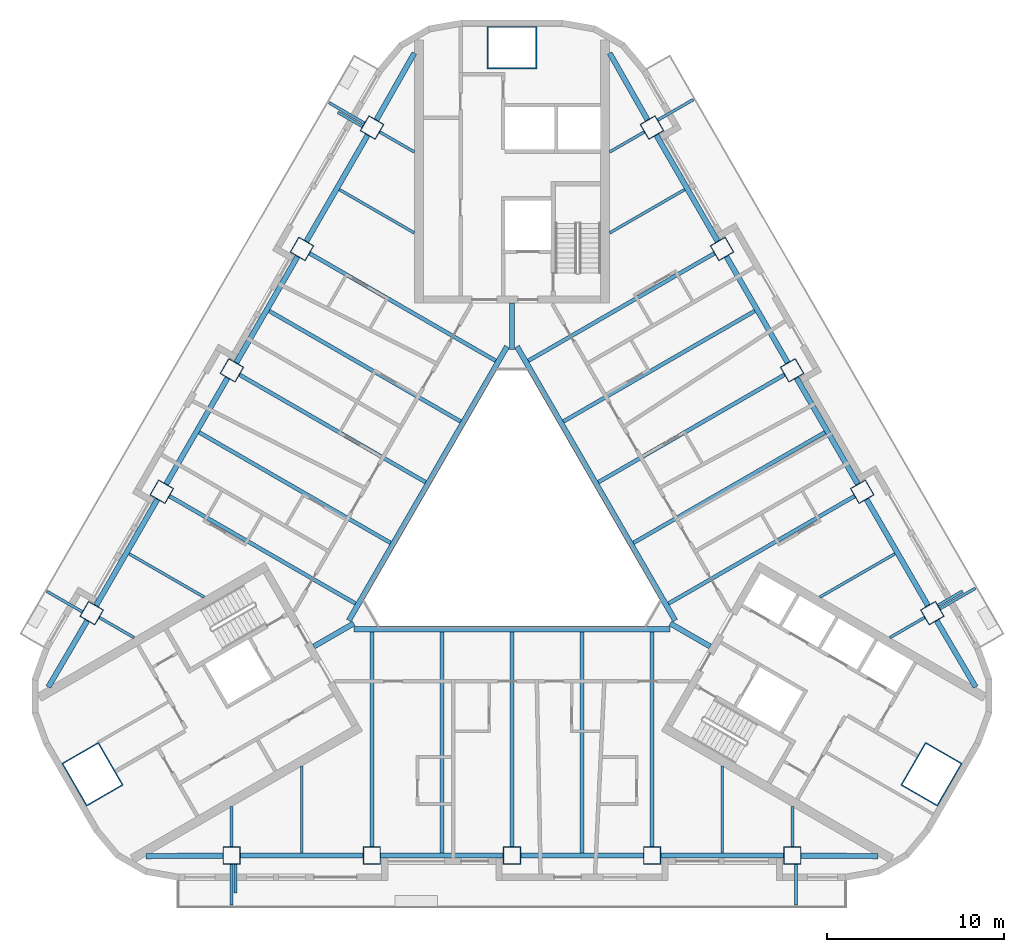
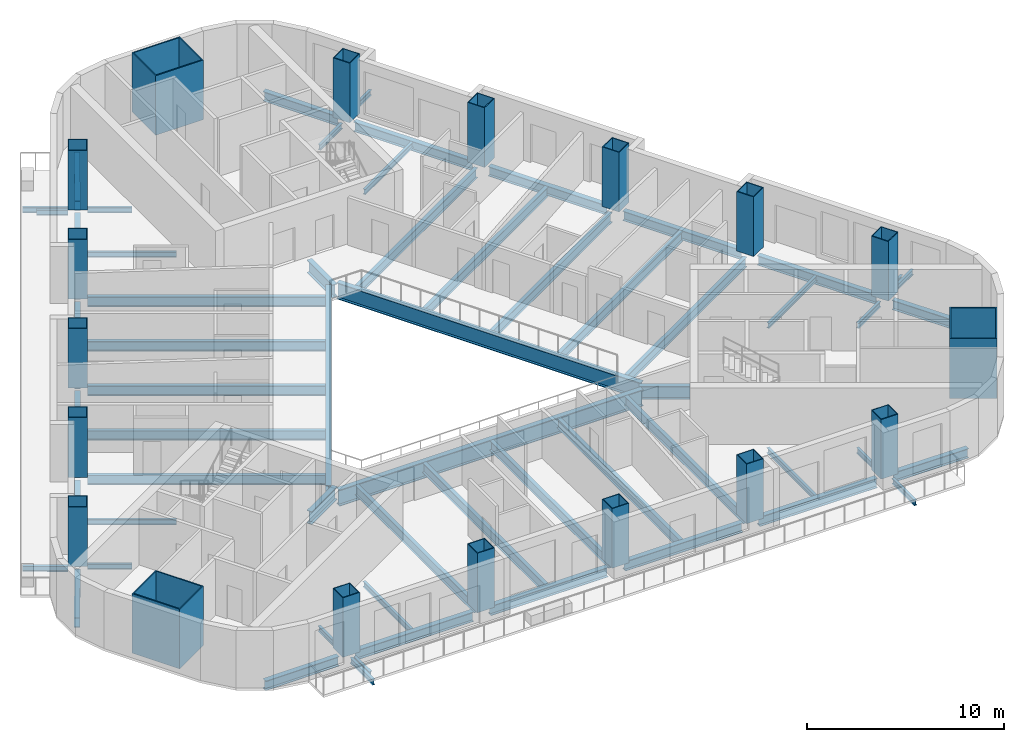
# One storey, part 1 of 14: 60 beams, 18 columns.
"""IFC4 building model written with IfcOpenShell, lengths in metres."""

from ifc_helpers import new_model, si_unit, direction, frame, origin, origin_2d, place, context, subcontext, project, spatial, rectangle, hollow_rectangle, i_section, extrude, material, material_profile, profile_set, type_object, element, save


model = new_model("IFC4")

# Units and contexts
model_context = context("Model", 3, precision=1e-05, world=origin(), true_north=direction((0.0, 1.0)))
body_context = subcontext(model_context, "Body", "Model", "MODEL_VIEW")
ifc_project = project(units=[si_unit("LENGTHUNIT", "METRE"), si_unit("AREAUNIT", "SQUARE_METRE"), si_unit("VOLUMEUNIT", "CUBIC_METRE"), si_unit("PLANEANGLEUNIT", "RADIAN"), si_unit("MASSUNIT", "GRAM", prefix="KILO")], contexts=[model_context])

# Site, building, storey
site_placement = place(None, origin())
site = spatial("IfcSite", under=ifc_project, at=site_placement, CompositionType="ELEMENT")
building_placement = place(site_placement, origin())
building = spatial("IfcBuilding", under=site, at=building_placement, Name="Apuvela Tower Hotel", CompositionType="ELEMENT")
storey_placement = place(building_placement, frame((0.0, 0.0, 50.199951171875)))
storey = spatial("IfcBuildingStorey", under=building, at=storey_placement, Name="L09", CompositionType="ELEMENT", Elevation=50.199951171875)

# Columns
ifc_material_1 = material(Name="Steel S460", Category="steel")
ifc_material_profile_1 = material_profile(ifc_material_1, hollow_rectangle(XDim=2.800048828125, YDim=2.39990234375, WallThickness=0.070068359375, at=origin_2d()), Name="BOX 2800x2400x70")
ifc_material_2 = material(Name="Concrete C80/95", Category="concrete")
ifc_material_profile_2 = material_profile(ifc_material_2, rectangle(XDim=2.659912109375, YDim=2.260009765625, at=origin_2d()), Name="Concrete C80/95 infill")
ifc_profile_set_1 = profile_set([ifc_material_profile_1, ifc_material_profile_2], Name="Steel S460")
column_type_1 = type_object("IfcColumnType", Name="STR-MC mega column BOX 2800x2400x70", PredefinedType="COLUMN", material=ifc_profile_set_1)
for number, where, z_axis, x_axis, name in (
    (1, (0.0, 27.300048828125, 0.0), (0.0, 0.0, 1.0), (1.0, 0.0, 0.0), "Mega column MC2 N"),
    (2, (-23.642578125, -13.64990234375, 0.0), (0.0, 0.0, 1.0), (-0.5, 0.866025403784, 0.0), "Mega column MC2 SW"),
    (3, (23.642578125, -13.64990234375, 0.0), (0.0, 0.0, 1.0), (0.5, 0.866025403784, 0.0), "Mega column MC2 SE"),
):
    element("IfcColumn", number, at=place(storey_placement, frame(where, z_axis=z_axis, x_axis=x_axis)), inside=storey, type_object=column_type_1, Name=name, PredefinedType="COLUMN", context=body_context, shape_type="SweptSolid", body=[
        extrude(hollow_rectangle(XDim=2.800048828125, YDim=2.39990234375, WallThickness=0.070068359375, at=origin_2d()), origin(), (0.0, 0.0, 1.0), 3.699951171875),
    ])
ifc_material_profile_3 = material_profile(ifc_material_1, hollow_rectangle(XDim=1.0, YDim=1.0, WallThickness=0.044921875, at=origin_2d()), Name="BOX 1000x1000x45")
ifc_material_profile_4 = material_profile(ifc_material_2, rectangle(XDim=0.909912109375, YDim=0.909912109375, at=origin_2d()), Name="Concrete C80/95 infill")
ifc_profile_set_2 = profile_set([ifc_material_profile_3, ifc_material_profile_4], Name="Steel S460")
column_type_2 = type_object("IfcColumnType", Name="STR-PC perimeter column BOX 1000x1000x45", PredefinedType="COLUMN", material=ifc_profile_set_2)
for number, where, z_axis, x_axis, name in (
    (4, (-15.800048828125, -18.22998046875, 0.0), (0.0, 0.0, 1.0), (-1.0, 0.0, 0.0), "Perimeter column C2 S1"),
    (5, (-7.89990234375, -18.22998046875, 0.0), (0.0, 0.0, 1.0), (-1.0, 0.0, 0.0), "Perimeter column C2 S2"),
    (6, (0.0, -18.22998046875, 0.0), (0.0, 0.0, 1.0), (-1.0, 0.0, 0.0), "Perimeter column C2 S3"),
    (7, (7.89990234375, -18.22998046875, 0.0), (0.0, 0.0, 1.0), (-1.0, 0.0, 0.0), "Perimeter column C2 S4"),
    (8, (15.800048828125, -18.22998046875, 0.0), (0.0, 0.0, 1.0), (-1.0, 0.0, 0.0), "Perimeter column C2 S5"),
    (9, (23.6875, -4.568115234375, 0.0), (0.0, 0.0, 1.0), (-0.5, 0.866025403784, 0.0), "Perimeter column C2 NE1"),
    (10, (19.737548828125, 2.2734375, 0.0), (0.0, 0.0, 1.0), (-0.5, 0.866025403784, 0.0), "Perimeter column C2 NE2"),
    (11, (15.78759765625, 9.114990234375, 0.0), (0.0, 0.0, 1.0), (-0.5, 0.866025403784, 0.0), "Perimeter column C2 NE3"),
    (12, (11.837646484375, 15.95654296875, 0.0), (0.0, 0.0, 1.0), (-0.5, 0.866025403784, 0.0), "Perimeter column C2 NE4"),
    (13, (7.8876953125, 22.798095703125, 0.0), (0.0, 0.0, 1.0), (-0.5, 0.866025403784, 0.0), "Perimeter column C2 NE5"),
    (14, (-7.8876953125, 22.798095703125, 0.0), (0.0, 0.0, 1.0), (0.5, 0.866025403784, 0.0), "Perimeter column C2 NW1"),
    (15, (-11.837646484375, 15.95654296875, 0.0), (0.0, 0.0, 1.0), (0.5, 0.866025403784, 0.0), "Perimeter column C2 NW2"),
    (16, (-15.78759765625, 9.114990234375, 0.0), (0.0, 0.0, 1.0), (0.5, 0.866025403784, 0.0), "Perimeter column C2 NW3"),
    (17, (-19.737548828125, 2.2734375, 0.0), (0.0, 0.0, 1.0), (0.5, 0.866025403784, 0.0), "Perimeter column C2 NW4"),
    (18, (-23.6875, -4.568115234375, 0.0), (0.0, 0.0, 1.0), (0.5, 0.866025403784, 0.0), "Perimeter column C2 NW5"),
):
    element("IfcColumn", number, at=place(storey_placement, frame(where, z_axis=z_axis, x_axis=x_axis)), inside=storey, type_object=column_type_2, Name=name, PredefinedType="COLUMN", context=body_context, shape_type="SweptSolid", body=[
        extrude(hollow_rectangle(XDim=1.0, YDim=1.0, WallThickness=0.044921875, at=origin_2d()), origin(), (0.0, 0.0, 1.0), 3.699951171875),
    ])

# Beams
ifc_material_3 = material(Name="Steel S355", Category="steel")
ifc_material_profile_5 = material_profile(ifc_material_3, i_section(OverallWidth=0.159912109375, OverallDepth=0.330078125, WebThickness=0.007568359375, FlangeThickness=0.011474609375, at=origin_2d()), Name="IPE 330")
ifc_profile_set_3 = profile_set([ifc_material_profile_5], Name="Steel S355")
beam_type_1 = type_object("IfcBeamType", Name="ENV-BALCONY-BEAM-IPE330", PredefinedType="BEAM", material=ifc_profile_set_3)
beam_1_placement = place(storey_placement, frame((-15.800048828125, -18.72998046875, -0.31494140625), z_axis=(0.0, -1.0, 0.0), x_axis=(1.0, 0.0, 0.0)))
element("IfcBeam", 19, at=beam_1_placement, inside=storey, type_object=beam_type_1, Name="Balcony cantilever beam S1 L09", PredefinedType="BEAM", context=body_context, shape_type="SweptSolid", body=[
    extrude(i_section(OverallWidth=0.159912109375, OverallDepth=0.330078125, WebThickness=0.007568359375, FlangeThickness=0.011474609375, at=origin_2d()), origin(), (0.0, 0.0, 1.0), 2.300048828125),
])
beam_2_placement = place(storey_placement, frame((-15.580078125, -18.72998046875, -0.31494140625), z_axis=(0.0, -1.0, 0.0), x_axis=(1.0, 0.0, 0.0)))
element("IfcBeam", 20, at=beam_2_placement, inside=storey, type_object=beam_type_1, Name="Balcony cantilever beam S2 L09", PredefinedType="BEAM", context=body_context, shape_type="SweptSolid", body=[
    extrude(i_section(OverallWidth=0.159912109375, OverallDepth=0.330078125, WebThickness=0.007568359375, FlangeThickness=0.011474609375, at=origin_2d()), origin(), (0.0, 0.0, 1.0), 1.60009765625),
])
for number, where, z_axis, x_axis, name in (
    (21, (16.0, -18.72998046875, -0.31494140625), (0.0, -1.0, 0.0), (1.0, 0.0, 0.0), "Balcony cantilever beam S3 L09"),
    (22, (24.12060546875, -4.318115234375, -0.31494140625), (0.866053019151, 0.499952165731, 0.0), (-0.499952165731, 0.866053019151, 0.0), "Balcony cantilever beam NE1 L09"),
):
    element("IfcBeam", number, at=place(storey_placement, frame(where, z_axis=z_axis, x_axis=x_axis)), inside=storey, type_object=beam_type_1, Name=name, PredefinedType="BEAM", context=body_context, shape_type="SweptSolid", body=[
        extrude(i_section(OverallWidth=0.159912109375, OverallDepth=0.330078125, WebThickness=0.007568359375, FlangeThickness=0.011474609375, at=origin_2d()), origin(), (0.0, 0.0, 1.0), 2.300048828125),
    ])
beam_3_placement = place(storey_placement, frame((24.0107421875, -4.127685546875, -0.31494140625), z_axis=(0.865989903783, 0.500061482766, 0.0), x_axis=(-0.500061482766, 0.865989903783, 0.0)))
element("IfcBeam", 23, at=beam_3_placement, inside=storey, type_object=beam_type_1, Name="Balcony cantilever beam NE2 L09", PredefinedType="BEAM", context=body_context, shape_type="SweptSolid", body=[
    extrude(i_section(OverallWidth=0.159912109375, OverallDepth=0.330078125, WebThickness=0.007568359375, FlangeThickness=0.011474609375, at=origin_2d()), origin(), (0.0, 0.0, 1.0), 1.599853515625),
])
beam_4_placement = place(storey_placement, frame((8.220703125, 23.221435546875, -0.31494140625), z_axis=(0.86602648383, 0.499998129301, 0.0), x_axis=(-0.499998129301, 0.86602648383, 0.0)))
element("IfcBeam", 24, at=beam_4_placement, inside=storey, type_object=beam_type_1, Name="Balcony cantilever beam NE3 L09", PredefinedType="BEAM", context=body_context, shape_type="SweptSolid", body=[
    extrude(i_section(OverallWidth=0.159912109375, OverallDepth=0.330078125, WebThickness=0.007568359375, FlangeThickness=0.011474609375, at=origin_2d()), origin(), (0.0, 0.0, 1.0), 2.2998046875),
])
beam_5_placement = place(storey_placement, frame((-8.32080078125, 23.048095703125, -0.31494140625), z_axis=(-0.865980515519, 0.500077740698, 0.0), x_axis=(-0.500077740698, -0.865980515519, 0.0)))
element("IfcBeam", 25, at=beam_5_placement, inside=storey, type_object=beam_type_1, Name="Balcony cantilever beam NW1 L09", PredefinedType="BEAM", context=body_context, shape_type="SweptSolid", body=[
    extrude(i_section(OverallWidth=0.159912109375, OverallDepth=0.330078125, WebThickness=0.007568359375, FlangeThickness=0.011474609375, at=origin_2d()), origin(), (0.0, 0.0, 1.0), 2.300048828125),
])
beam_6_placement = place(storey_placement, frame((-8.4306640625, 22.857666015625, -0.31494140625), z_axis=(-0.866028054938, 0.499995408039, 0.0), x_axis=(-0.499995408039, -0.866028054938, 0.0)))
element("IfcBeam", 26, at=beam_6_placement, inside=storey, type_object=beam_type_1, Name="Balcony cantilever beam NW2 L09", PredefinedType="BEAM", context=body_context, shape_type="SweptSolid", body=[
    extrude(i_section(OverallWidth=0.159912109375, OverallDepth=0.330078125, WebThickness=0.007568359375, FlangeThickness=0.011474609375, at=origin_2d()), origin(), (0.0, 0.0, 1.0), 1.60009765625),
])
beam_7_placement = place(storey_placement, frame((-24.220703125, -4.491455078125, -0.31494140625), z_axis=(-0.865980515519, 0.500077740698, 0.0), x_axis=(-0.500077740698, -0.865980515519, 0.0)))
element("IfcBeam", 27, at=beam_7_placement, inside=storey, type_object=beam_type_1, Name="Balcony cantilever beam NW3 L09", PredefinedType="BEAM", context=body_context, shape_type="SweptSolid", body=[
    extrude(i_section(OverallWidth=0.159912109375, OverallDepth=0.330078125, WebThickness=0.007568359375, FlangeThickness=0.011474609375, at=origin_2d()), origin(), (0.0, 0.0, 1.0), 2.300048828125),
])
ifc_material_profile_6 = material_profile(ifc_material_3, i_section(OverallWidth=0.159912109375, OverallDepth=0.330078125, WebThickness=0.007568359375, FlangeThickness=0.011474609375, at=origin_2d()), Name="IPE 330")
ifc_profile_set_4 = profile_set([ifc_material_profile_6], Name="Steel S355")
beam_type_2 = type_object("IfcBeamType", Name="STR-B floor beam IPE 330", PredefinedType="BEAM", material=ifc_profile_set_4)
beam_8_placement = place(storey_placement, frame((23.254638671875, -4.818115234375, -0.31494140625), z_axis=(-0.865991034588, -0.500059524469, 0.0), x_axis=(0.500059524469, -0.865991034588, 0.0)))
element("IfcBeam", 28, at=beam_8_placement, inside=storey, type_object=beam_type_2, Name="Floor beam B1 NE1", PredefinedType="BEAM", context=body_context, shape_type="SweptSolid", body=[
    extrude(i_section(OverallWidth=0.159912109375, OverallDepth=0.330078125, WebThickness=0.007568359375, FlangeThickness=0.011474609375, at=origin_2d()), origin(), (0.0, 0.0, 1.0), 2.257080078125),
])
for number, where, z_axis, x_axis, name in (
    (29, (21.582763671875, -1.222412109375, -0.31494140625), (-0.866015056278, -0.500017921979, 0.0), (0.500017921979, -0.866015056278, 0.0), "Floor beam B1 NE2"),
    (30, (9.732666015625, 19.302490234375, -0.31494140625), (-0.866015056278, -0.500017921979, 0.0), (0.500017921979, -0.866015056278, 0.0), "Floor beam B1 NE8"),
):
    element("IfcBeam", number, at=place(storey_placement, frame(where, z_axis=z_axis, x_axis=x_axis)), inside=storey, type_object=beam_type_2, Name=name, PredefinedType="BEAM", context=body_context, shape_type="SweptSolid", body=[
        extrude(i_section(OverallWidth=0.159912109375, OverallDepth=0.330078125, WebThickness=0.007568359375, FlangeThickness=0.011474609375, at=origin_2d()), origin(), (0.0, 0.0, 1.0), 4.887451171875),
    ])
for number, where, z_axis, x_axis, name in (
    (31, (7.45458984375, 22.548095703125, -0.31494140625), (-0.86603787505, -0.499978398512, 0.0), (0.499978398512, -0.86603787505, 0.0), "Floor beam B1 NE9"),
    (32, (-7.45458984375, 22.548095703125, -0.31494140625), (0.86603787505, -0.499978398512, 0.0), (0.499978398512, 0.86603787505, 0.0), "Floor beam B1 NW1"),
):
    element("IfcBeam", number, at=place(storey_placement, frame(where, z_axis=z_axis, x_axis=x_axis)), inside=storey, type_object=beam_type_2, Name=name, PredefinedType="BEAM", context=body_context, shape_type="SweptSolid", body=[
        extrude(i_section(OverallWidth=0.159912109375, OverallDepth=0.330078125, WebThickness=0.007568359375, FlangeThickness=0.011474609375, at=origin_2d()), origin(), (0.0, 0.0, 1.0), 2.2568359375),
    ])
for number, where, z_axis, x_axis, name in (
    (33, (-9.732666015625, 19.302490234375, -0.31494140625), (0.866015056278, -0.500017921979, 0.0), (0.500017921979, 0.866015056278, 0.0), "Floor beam B1 NW2"),
    (34, (-21.582763671875, -1.222412109375, -0.31494140625), (0.866015056278, -0.500017921979, 0.0), (0.500017921979, 0.866015056278, 0.0), "Floor beam B1 NW8"),
):
    element("IfcBeam", number, at=place(storey_placement, frame(where, z_axis=z_axis, x_axis=x_axis)), inside=storey, type_object=beam_type_2, Name=name, PredefinedType="BEAM", context=body_context, shape_type="SweptSolid", body=[
        extrude(i_section(OverallWidth=0.159912109375, OverallDepth=0.330078125, WebThickness=0.007568359375, FlangeThickness=0.011474609375, at=origin_2d()), origin(), (0.0, 0.0, 1.0), 4.887451171875),
    ])
for number, where, z_axis, x_axis, name in (
    (35, (-23.254638671875, -4.818115234375, -0.31494140625), (0.865991034588, -0.500059524469, 0.0), (0.500059524469, 0.865991034588, 0.0), "Floor beam B1 NW9"),
    (36, (-15.800048828125, -17.72998046875, -0.31494140625), (0.0, 1.0, 0.0), (-1.0, 0.0, 0.0), "Floor beam B1 S1"),
):
    element("IfcBeam", number, at=place(storey_placement, frame(where, z_axis=z_axis, x_axis=x_axis)), inside=storey, type_object=beam_type_2, Name=name, PredefinedType="BEAM", context=body_context, shape_type="SweptSolid", body=[
        extrude(i_section(OverallWidth=0.159912109375, OverallDepth=0.330078125, WebThickness=0.007568359375, FlangeThickness=0.011474609375, at=origin_2d()), origin(), (0.0, 0.0, 1.0), 2.257080078125),
    ])
for number, where, z_axis, x_axis, name in (
    (37, (-11.85009765625, -18.080078125, -0.31494140625), (0.0, 1.0, 0.0), (-1.0, 0.0, 0.0), "Floor beam B1 S2"),
    (38, (11.85009765625, -18.080078125, -0.31494140625), (0.0, 1.0, 0.0), (-1.0, 0.0, 0.0), "Floor beam B1 S8"),
):
    element("IfcBeam", number, at=place(storey_placement, frame(where, z_axis=z_axis, x_axis=x_axis)), inside=storey, type_object=beam_type_2, Name=name, PredefinedType="BEAM", context=body_context, shape_type="SweptSolid", body=[
        extrude(i_section(OverallWidth=0.159912109375, OverallDepth=0.330078125, WebThickness=0.007568359375, FlangeThickness=0.011474609375, at=origin_2d()), origin(), (0.0, 0.0, 1.0), 4.8876953125),
    ])
beam_9_placement = place(storey_placement, frame((15.800048828125, -17.72998046875, -0.31494140625), z_axis=(0.0, 1.0, 0.0), x_axis=(-1.0, 0.0, 0.0)))
element("IfcBeam", 39, at=beam_9_placement, inside=storey, type_object=beam_type_2, Name="Floor beam B1 S9", PredefinedType="BEAM", context=body_context, shape_type="SweptSolid", body=[
    extrude(i_section(OverallWidth=0.159912109375, OverallDepth=0.330078125, WebThickness=0.007568359375, FlangeThickness=0.011474609375, at=origin_2d()), origin(), (0.0, 0.0, 1.0), 2.257080078125),
])
ifc_material_profile_7 = material_profile(ifc_material_3, i_section(OverallWidth=0.219970703125, OverallDepth=0.60009765625, WebThickness=0.011962890625, FlangeThickness=0.01904296875, at=origin_2d()), Name="IPE 600")
ifc_profile_set_5 = profile_set([ifc_material_profile_7], Name="Steel S355")
beam_type_3 = type_object("IfcBeamType", Name="STR-B floor beam IPE 600", PredefinedType="BEAM", material=ifc_profile_set_5)
beam_10_placement = place(storey_placement, frame((19.3046875, 2.0234375, -0.449951171875), z_axis=(-0.866027098151, -0.499997065259, 0.0), x_axis=(0.499997065259, -0.866027098151, 0.0)))
element("IfcBeam", 40, at=beam_10_placement, inside=storey, type_object=beam_type_3, Name="Floor beam B8 NE3", PredefinedType="BEAM", context=body_context, shape_type="SweptSolid", body=[
    extrude(i_section(OverallWidth=0.219970703125, OverallDepth=0.60009765625, WebThickness=0.011962890625, FlangeThickness=0.01904296875, at=origin_2d()), origin(), (0.0, 0.0, 1.0), 12.10791015625),
])
beam_11_placement = place(storey_placement, frame((17.6328125, 5.619140625, -0.449951171875), z_axis=(-0.866027636335, -0.499996133089, 0.0), x_axis=(0.499996133089, -0.866027636335, 0.0)))
element("IfcBeam", 41, at=beam_11_placement, inside=storey, type_object=beam_type_3, Name="Floor beam B8 NE4", PredefinedType="BEAM", context=body_context, shape_type="SweptSolid", body=[
    extrude(i_section(OverallWidth=0.219970703125, OverallDepth=0.60009765625, WebThickness=0.011962890625, FlangeThickness=0.01904296875, at=origin_2d()), origin(), (0.0, 0.0, 1.0), 12.4580078125),
])
beam_12_placement = place(storey_placement, frame((15.3544921875, 8.864990234375, -0.449951171875), z_axis=(-0.866022057176, -0.500005796451, 0.0), x_axis=(0.500005796451, -0.866022057176, 0.0)))
element("IfcBeam", 42, at=beam_12_placement, inside=storey, type_object=beam_type_3, Name="Floor beam B8 NE5", PredefinedType="BEAM", context=body_context, shape_type="SweptSolid", body=[
    extrude(i_section(OverallWidth=0.219970703125, OverallDepth=0.60009765625, WebThickness=0.011962890625, FlangeThickness=0.01904296875, at=origin_2d()), origin(), (0.0, 0.0, 1.0), 12.107666015625),
])
beam_13_placement = place(storey_placement, frame((13.6826171875, 12.460693359375, -0.449951171875), z_axis=(-0.866022737053, -0.500004618886, 0.0), x_axis=(0.500004618886, -0.866022737053, 0.0)))
element("IfcBeam", 43, at=beam_13_placement, inside=storey, type_object=beam_type_3, Name="Floor beam B8 NE6", PredefinedType="BEAM", context=body_context, shape_type="SweptSolid", body=[
    extrude(i_section(OverallWidth=0.219970703125, OverallDepth=0.60009765625, WebThickness=0.011962890625, FlangeThickness=0.01904296875, at=origin_2d()), origin(), (0.0, 0.0, 1.0), 12.4580078125),
])
for number, where, z_axis, x_axis, name in (
    (44, (11.404541015625, 15.70654296875, -0.449951171875), (-0.866027098151, -0.499997065259, 0.0), (0.499997065259, -0.866027098151, 0.0), "Floor beam B8 NE7"),
    (45, (-11.404541015625, 15.70654296875, -0.449951171875), (0.866027098151, -0.499997065259, 0.0), (0.499997065259, 0.866027098151, 0.0), "Floor beam B8 NW3"),
):
    element("IfcBeam", number, at=place(storey_placement, frame(where, z_axis=z_axis, x_axis=x_axis)), inside=storey, type_object=beam_type_3, Name=name, PredefinedType="BEAM", context=body_context, shape_type="SweptSolid", body=[
        extrude(i_section(OverallWidth=0.219970703125, OverallDepth=0.60009765625, WebThickness=0.011962890625, FlangeThickness=0.01904296875, at=origin_2d()), origin(), (0.0, 0.0, 1.0), 12.10791015625),
    ])
beam_14_placement = place(storey_placement, frame((-13.6826171875, 12.460693359375, -0.449951171875), z_axis=(0.866022737053, -0.500004618886, 0.0), x_axis=(0.500004618886, 0.866022737053, 0.0)))
element("IfcBeam", 46, at=beam_14_placement, inside=storey, type_object=beam_type_3, Name="Floor beam B8 NW4", PredefinedType="BEAM", context=body_context, shape_type="SweptSolid", body=[
    extrude(i_section(OverallWidth=0.219970703125, OverallDepth=0.60009765625, WebThickness=0.011962890625, FlangeThickness=0.01904296875, at=origin_2d()), origin(), (0.0, 0.0, 1.0), 12.4580078125),
])
beam_15_placement = place(storey_placement, frame((-15.3544921875, 8.864990234375, -0.449951171875), z_axis=(0.866022057176, -0.500005796451, 0.0), x_axis=(0.500005796451, 0.866022057176, 0.0)))
element("IfcBeam", 47, at=beam_15_placement, inside=storey, type_object=beam_type_3, Name="Floor beam B8 NW5", PredefinedType="BEAM", context=body_context, shape_type="SweptSolid", body=[
    extrude(i_section(OverallWidth=0.219970703125, OverallDepth=0.60009765625, WebThickness=0.011962890625, FlangeThickness=0.01904296875, at=origin_2d()), origin(), (0.0, 0.0, 1.0), 12.107666015625),
])
beam_16_placement = place(storey_placement, frame((-17.6328125, 5.619140625, -0.449951171875), z_axis=(0.866027636335, -0.499996133089, 0.0), x_axis=(0.499996133089, 0.866027636335, 0.0)))
element("IfcBeam", 48, at=beam_16_placement, inside=storey, type_object=beam_type_3, Name="Floor beam B8 NW6", PredefinedType="BEAM", context=body_context, shape_type="SweptSolid", body=[
    extrude(i_section(OverallWidth=0.219970703125, OverallDepth=0.60009765625, WebThickness=0.011962890625, FlangeThickness=0.01904296875, at=origin_2d()), origin(), (0.0, 0.0, 1.0), 12.4580078125),
])
for number, where, z_axis, x_axis, name in (
    (49, (-19.3046875, 2.0234375, -0.449951171875), (0.866027098151, -0.499997065259, 0.0), (0.499997065259, 0.866027098151, 0.0), "Floor beam B8 NW7"),
    (50, (-7.89990234375, -17.72998046875, -0.449951171875), (0.0, 1.0, 0.0), (-1.0, 0.0, 0.0), "Floor beam B8 S3"),
):
    element("IfcBeam", number, at=place(storey_placement, frame(where, z_axis=z_axis, x_axis=x_axis)), inside=storey, type_object=beam_type_3, Name=name, PredefinedType="BEAM", context=body_context, shape_type="SweptSolid", body=[
        extrude(i_section(OverallWidth=0.219970703125, OverallDepth=0.60009765625, WebThickness=0.011962890625, FlangeThickness=0.01904296875, at=origin_2d()), origin(), (0.0, 0.0, 1.0), 12.10791015625),
    ])
beam_17_placement = place(storey_placement, frame((-3.949951171875, -18.080078125, -0.449951171875), z_axis=(0.0, 1.0, 0.0), x_axis=(-1.0, 0.0, 0.0)))
element("IfcBeam", 51, at=beam_17_placement, inside=storey, type_object=beam_type_3, Name="Floor beam B8 S4", PredefinedType="BEAM", context=body_context, shape_type="SweptSolid", body=[
    extrude(i_section(OverallWidth=0.219970703125, OverallDepth=0.60009765625, WebThickness=0.011962890625, FlangeThickness=0.01904296875, at=origin_2d()), origin(), (0.0, 0.0, 1.0), 12.4580078125),
])
beam_18_placement = place(storey_placement, frame((0.0, -17.72998046875, -0.449951171875), z_axis=(0.0, 1.0, 0.0), x_axis=(-1.0, 0.0, 0.0)))
element("IfcBeam", 52, at=beam_18_placement, inside=storey, type_object=beam_type_3, Name="Floor beam B8 S5", PredefinedType="BEAM", context=body_context, shape_type="SweptSolid", body=[
    extrude(i_section(OverallWidth=0.219970703125, OverallDepth=0.60009765625, WebThickness=0.011962890625, FlangeThickness=0.01904296875, at=origin_2d()), origin(), (0.0, 0.0, 1.0), 12.10791015625),
])
beam_19_placement = place(storey_placement, frame((3.949951171875, -18.080078125, -0.449951171875), z_axis=(0.0, 1.0, 0.0), x_axis=(-1.0, 0.0, 0.0)))
element("IfcBeam", 53, at=beam_19_placement, inside=storey, type_object=beam_type_3, Name="Floor beam B8 S6", PredefinedType="BEAM", context=body_context, shape_type="SweptSolid", body=[
    extrude(i_section(OverallWidth=0.219970703125, OverallDepth=0.60009765625, WebThickness=0.011962890625, FlangeThickness=0.01904296875, at=origin_2d()), origin(), (0.0, 0.0, 1.0), 12.4580078125),
])
beam_20_placement = place(storey_placement, frame((7.89990234375, -17.72998046875, -0.449951171875), z_axis=(0.0, 1.0, 0.0), x_axis=(-1.0, 0.0, 0.0)))
element("IfcBeam", 54, at=beam_20_placement, inside=storey, type_object=beam_type_3, Name="Floor beam B8 S7", PredefinedType="BEAM", context=body_context, shape_type="SweptSolid", body=[
    extrude(i_section(OverallWidth=0.219970703125, OverallDepth=0.60009765625, WebThickness=0.011962890625, FlangeThickness=0.01904296875, at=origin_2d()), origin(), (0.0, 0.0, 1.0), 12.10791015625),
])
ifc_material_profile_8 = material_profile(ifc_material_3, i_section(OverallWidth=0.302001953125, OverallDepth=1.008056640625, WebThickness=0.02099609375, FlangeThickness=0.0400390625, at=origin_2d()), Name="HE 1000 M")
ifc_profile_set_6 = profile_set([ifc_material_profile_8], Name="Steel S355")
beam_type_4 = type_object("IfcBeamType", Name="STR-G atrium ring girder HE 1000 M", PredefinedType="BEAM", material=ifc_profile_set_6)
for number, where, z_axis, x_axis, name in (
    (55, (-0.28076171875, 10.455810546875, -0.654052734375), (-0.500000611842, -0.866025050537, 0.0), (0.866025050537, -0.500000611842, 0.0), "Atrium ring girder G1 N-SW"),
    (56, (-8.91455078125, -5.470947265625, -0.654052734375), (1.0, 0.0, 0.0), (0.0, 1.0, 0.0), "Atrium ring girder G1 SW-SE"),
    (57, (9.1953125, -4.984619140625, -0.654052734375), (-0.500000611842, 0.866025050537, 0.0), (-0.866025050537, -0.500000611842, 0.0), "Atrium ring girder G1 SE-N"),
):
    element("IfcBeam", number, at=place(storey_placement, frame(where, z_axis=z_axis, x_axis=x_axis)), inside=storey, type_object=beam_type_4, Name=name, PredefinedType="BEAM", context=body_context, shape_type="SweptSolid", body=[
        extrude(i_section(OverallWidth=0.302001953125, OverallDepth=1.008056640625, WebThickness=0.02099609375, FlangeThickness=0.0400390625, at=origin_2d()), origin(), (0.0, 0.0, 1.0), 17.8291015625),
    ])
ifc_material_profile_9 = material_profile(ifc_material_3, i_section(OverallWidth=0.300048828125, OverallDepth=0.800048828125, WebThickness=0.017578125, FlangeThickness=0.032958984375, at=origin_2d()), Name="HE 800 B")
ifc_profile_set_7 = profile_set([ifc_material_profile_9], Name="Steel S355")
beam_type_5 = type_object("IfcBeamType", Name="STR-GT core tie beam HE 800 B", PredefinedType="BEAM", material=ifc_profile_set_7)
for number, where, z_axis, x_axis, name in (
    (58, (0.0, 12.89990234375, -0.550048828125), (0.0, -1.0, 0.0), (1.0, 0.0, 0.0), "Core tie beam GT1 N"),
    (59, (-11.171630859375, -6.449951171875, -0.550048828125), (0.865997922154, 0.500047596559, 0.0), (-0.500047596559, 0.865997922154, 0.0), "Core tie beam GT1 SW"),
    (60, (11.171630859375, -6.449951171875, -0.550048828125), (-0.865997922154, 0.500047596559, 0.0), (-0.500047596559, -0.865997922154, 0.0), "Core tie beam GT1 SE"),
):
    element("IfcBeam", number, at=place(storey_placement, frame(where, z_axis=z_axis, x_axis=x_axis)), inside=storey, type_object=beam_type_5, Name=name, PredefinedType="BEAM", context=body_context, shape_type="SweptSolid", body=[
        extrude(i_section(OverallWidth=0.300048828125, OverallDepth=0.800048828125, WebThickness=0.017578125, FlangeThickness=0.032958984375, at=origin_2d()), origin(), (0.0, 0.0, 1.0), 2.599853515625),
    ])
ifc_material_profile_10 = material_profile(ifc_material_3, i_section(OverallWidth=0.300048828125, OverallDepth=0.590087890625, WebThickness=0.012939453125, FlangeThickness=0.02490234375, at=origin_2d()), Name="HE 600 A")
ifc_profile_set_8 = profile_set([ifc_material_profile_10], Name="Steel S355")
beam_type_6 = type_object("IfcBeamType", Name="STR-SB spandrel beam HE 600 A", PredefinedType="SPANDREL", material=ifc_profile_set_8)
beam_21_placement = place(storey_placement, frame((-15.300048828125, -18.22998046875, -0.445068359375), z_axis=(1.0, 0.0, 0.0), x_axis=(0.0, 1.0, 0.0)))
element("IfcBeam", 61, at=beam_21_placement, inside=storey, type_object=beam_type_6, Name="Spandrel beam SB2 S1", PredefinedType="SPANDREL", context=body_context, shape_type="SweptSolid", body=[
    extrude(i_section(OverallWidth=0.300048828125, OverallDepth=0.590087890625, WebThickness=0.012939453125, FlangeThickness=0.02490234375, at=origin_2d()), origin(), (0.0, 0.0, 1.0), 6.900146484375),
])
for number, where, z_axis, x_axis, name in (
    (62, (-7.39990234375, -18.22998046875, -0.445068359375), (1.0, 0.0, 0.0), (0.0, 1.0, 0.0), "Spandrel beam SB2 S2"),
    (63, (0.5, -18.22998046875, -0.445068359375), (1.0, 0.0, 0.0), (0.0, 1.0, 0.0), "Spandrel beam SB2 S3"),
):
    element("IfcBeam", number, at=place(storey_placement, frame(where, z_axis=z_axis, x_axis=x_axis)), inside=storey, type_object=beam_type_6, Name=name, PredefinedType="SPANDREL", context=body_context, shape_type="SweptSolid", body=[
        extrude(i_section(OverallWidth=0.300048828125, OverallDepth=0.590087890625, WebThickness=0.012939453125, FlangeThickness=0.02490234375, at=origin_2d()), origin(), (0.0, 0.0, 1.0), 6.89990234375),
    ])
beam_22_placement = place(storey_placement, frame((8.39990234375, -18.22998046875, -0.445068359375), z_axis=(1.0, 0.0, 0.0), x_axis=(0.0, 1.0, 0.0)))
element("IfcBeam", 64, at=beam_22_placement, inside=storey, type_object=beam_type_6, Name="Spandrel beam SB2 S4", PredefinedType="SPANDREL", context=body_context, shape_type="SweptSolid", body=[
    extrude(i_section(OverallWidth=0.300048828125, OverallDepth=0.590087890625, WebThickness=0.012939453125, FlangeThickness=0.02490234375, at=origin_2d()), origin(), (0.0, 0.0, 1.0), 6.900146484375),
])
for number, where, z_axis, x_axis, name in (
    (65, (23.4375, -4.13525390625, -0.445068359375), (-0.499994024137, 0.866028853923, 0.0), (-0.866028853923, -0.499994024137, 0.0), "Spandrel beam SB2 NE1"),
    (66, (19.487548828125, 2.706298828125, -0.445068359375), (-0.499994024137, 0.866028853923, 0.0), (-0.866028853923, -0.499994024137, 0.0), "Spandrel beam SB2 NE2"),
    (67, (15.53759765625, 9.548095703125, -0.445068359375), (-0.499994024137, 0.866028853923, 0.0), (-0.866028853923, -0.499994024137, 0.0), "Spandrel beam SB2 NE3"),
    (68, (11.587646484375, 16.3896484375, -0.445068359375), (-0.499994024137, 0.866028853923, 0.0), (-0.866028853923, -0.499994024137, 0.0), "Spandrel beam SB2 NE4"),
    (69, (-8.1376953125, 22.365234375, -0.445068359375), (-0.499994024137, -0.866028853923, 0.0), (0.866028853923, -0.499994024137, 0.0), "Spandrel beam SB2 NW1"),
    (70, (-12.087646484375, 15.523681640625, -0.445068359375), (-0.499994024137, -0.866028853923, 0.0), (0.866028853923, -0.499994024137, 0.0), "Spandrel beam SB2 NW2"),
    (71, (-16.03759765625, 8.681884765625, -0.445068359375), (-0.499994024137, -0.866028853923, 0.0), (0.866028853923, -0.499994024137, 0.0), "Spandrel beam SB2 NW3"),
    (72, (-19.987548828125, 1.84033203125, -0.445068359375), (-0.499994024137, -0.866028853923, 0.0), (0.866028853923, -0.499994024137, 0.0), "Spandrel beam SB2 NW4"),
):
    element("IfcBeam", number, at=place(storey_placement, frame(where, z_axis=z_axis, x_axis=x_axis)), inside=storey, type_object=beam_type_6, Name=name, PredefinedType="SPANDREL", context=body_context, shape_type="SweptSolid", body=[
        extrude(i_section(OverallWidth=0.300048828125, OverallDepth=0.590087890625, WebThickness=0.012939453125, FlangeThickness=0.02490234375, at=origin_2d()), origin(), (0.0, 0.0, 1.0), 6.89990234375),
    ])
for number, where, z_axis, x_axis, name in (
    (73, (-16.300048828125, -18.2333984375, -0.445068359375), (-0.999976372141, -0.00687423888, 0.0), (0.00687423888, -0.999976372141, 0.0), "Spandrel beam SB2 S1-SW"),
    (74, (16.300048828125, -18.2333984375, -0.445068359375), (0.999976372141, -0.00687423888, 0.0), (0.00687423888, 0.999976372141, 0.0), "Spandrel beam SB2 S5-SE"),
    (75, (23.940673828125, -4.99951171875, -0.445068359375), (0.505943625762, -0.862566546738, 0.0), (0.862566546738, 0.505943625762, 0.0), "Spandrel beam SB2 NE1-SE"),
    (76, (7.640625, 23.23291015625, -0.445068359375), (-0.494050066642, 0.869433454412, 0.0), (-0.869433454412, -0.494050066642, 0.0), "Spandrel beam SB2 NE5-N"),
    (77, (-7.640625, 23.23291015625, -0.445068359375), (0.494050066642, 0.869433454412, 0.0), (-0.869433454412, 0.494050066642, 0.0), "Spandrel beam SB2 NW1-N"),
    (78, (-23.940673828125, -4.99951171875, -0.445068359375), (-0.505943625762, -0.862566546738, 0.0), (0.862566546738, -0.505943625762, 0.0), "Spandrel beam SB2 NW5-SW"),
):
    element("IfcBeam", number, at=place(storey_placement, frame(where, z_axis=z_axis, x_axis=x_axis)), inside=storey, type_object=beam_type_6, Name=name, PredefinedType="SPANDREL", context=body_context, shape_type="SweptSolid", body=[
        extrude(i_section(OverallWidth=0.300048828125, OverallDepth=0.590087890625, WebThickness=0.012939453125, FlangeThickness=0.02490234375, at=origin_2d()), origin(), (0.0, 0.0, 1.0), 4.332763671875),
    ])

save(model, "model.ifc")
